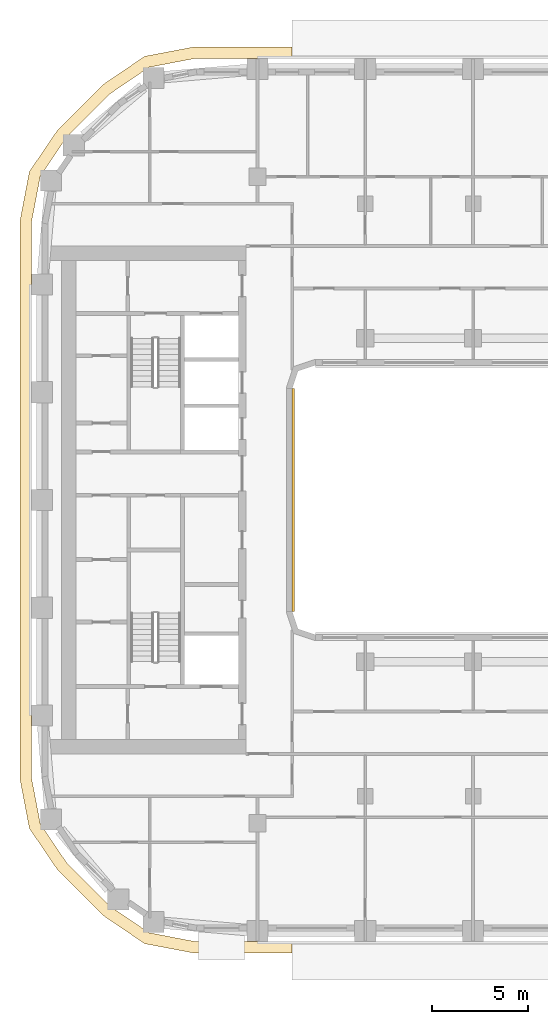
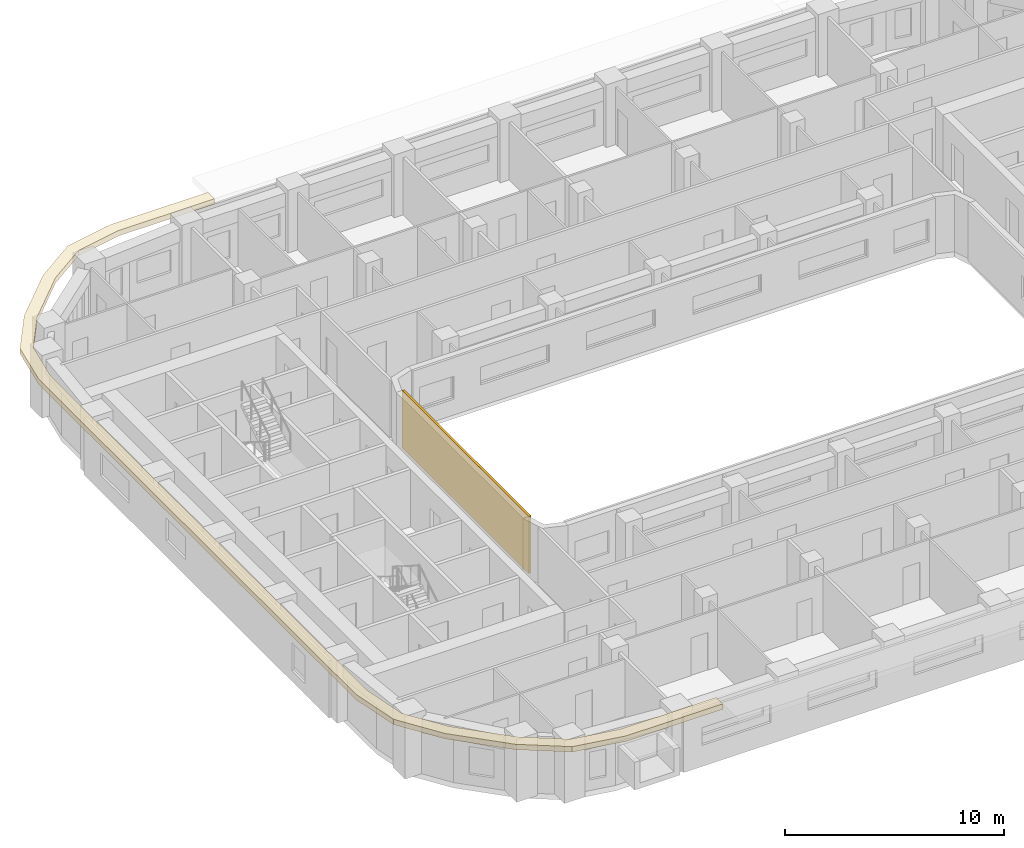
# One storey, part 14 of 22: 2 coverings.
"""IFC4 building model written with IfcOpenShell, lengths in metres."""

from ifc_helpers import new_model, si_unit, direction, frame, origin, place, context, subcontext, project, spatial, polyline, outline, extrude, material, layer, layer_set, type_object, element, save


model = new_model("IFC4")

# Units and contexts
model_context = context("Model", 3, precision=1e-05, world=origin(), true_north=direction((0.0, 1.0)))
body_context = subcontext(model_context, "Body", "Model", "MODEL_VIEW")
ifc_project = project(units=[si_unit("LENGTHUNIT", "METRE"), si_unit("AREAUNIT", "SQUARE_METRE"), si_unit("VOLUMEUNIT", "CUBIC_METRE"), si_unit("PLANEANGLEUNIT", "RADIAN"), si_unit("MASSUNIT", "GRAM", prefix="KILO")], contexts=[model_context])

# Site, building, storey
site_placement = place(None, origin())
site = spatial("IfcSite", under=ifc_project, at=site_placement, CompositionType="ELEMENT")
building_placement = place(site_placement, origin())
building = spatial("IfcBuilding", under=site, at=building_placement, Name="Kiln Ring Residences", CompositionType="ELEMENT")
storey_placement = place(building_placement, frame((0.0, 0.0, 146.60009765625)))
storey = spatial("IfcBuildingStorey", under=building, at=storey_placement, Name="L37", CompositionType="ELEMENT", Elevation=146.60009765625)

# Coverings
ifc_material_1 = material(Name="Brick masonry, dark clay brick", Category="masonry")
ifc_layer_1 = layer(ifc_material_1, 0.1201171875)
ifc_layer_set_1 = layer_set([ifc_layer_1], Name="RAINSCREEN PANEL 120")
covering_type_1 = type_object("IfcCoveringType", Name="RAINSCREEN PANEL 120", PredefinedType="CLADDING", material=ifc_layer_set_1)
covering_1_placement = place(storey_placement, frame((-14.93994140625, -5.800048828125, 0.0), z_axis=(0.0, 0.0, 1.0), x_axis=(0.0, 1.0, 0.0)))
element("IfcCovering", 1, at=covering_1_placement, inside=storey, type_object=covering_type_1, Name="RAINSCREEN L37", PredefinedType="CLADDING", context=body_context, shape_type="SweptSolid", body=[
    extrude(outline(polyline([(0.0, 0.0), (11.60009765625, 0.0), (11.60009765625, 3.199951171875), (0.0, 3.199951171875), (0.0, 0.0)])), frame((0.0, 0.06005859375, 0.0), z_axis=(0.0, -1.0, 0.0), x_axis=(1.0, 0.0, 0.0)), (0.0, 0.0, 1.0), 0.1201171875),
])
ifc_material_2 = material(Name="Black powder-coated steel", Category="steel")
ifc_layer_2 = layer(ifc_material_2, 0.300048828125)
ifc_layer_set_2 = layer_set([ifc_layer_2], Name="SUNSHADE FIN 600")
covering_type_2 = type_object("IfcCoveringType", Name="SUNSHADE FIN 600", PredefinedType="CLADDING", material=ifc_layer_set_2)
covering_2_placement = place(storey_placement, frame((0.0, 0.0, 3.199951171875)))
element("IfcCovering", 2, at=covering_2_placement, inside=storey, type_object=covering_type_2, Name="SUNSHADE FIN L37", PredefinedType="CLADDING", context=body_context, shape_type="SweptSolid", body=[
    extrude(outline(polyline([(-29.14990234375, -14.5087890625), (-28.66064453125, -17.07373046875), (-27.193115234375, -19.2333984375), (-24.83349609375, -21.593017578125), (-22.673583984375, -23.060791015625), (-20.108642578125, -23.550048828125), (-15.0, -23.550048828125), (-15.0, -22.949951171875), (-20.052001953125, -22.949951171875), (-22.439208984375, -22.49462890625), (-24.44921875, -21.128662109375), (-26.728515625, -18.84912109375), (-28.0947265625, -16.839111328125), (-28.550048828125, -14.451904296875), (-28.550048828125, 14.451904296875), (-28.0947265625, 16.839111328125), (-26.728515625, 18.84912109375), (-24.44921875, 21.128662109375), (-22.439208984375, 22.49462890625), (-20.052001953125, 22.949951171875), (-15.0, 22.949951171875), (-15.0, 23.550048828125), (-20.108642578125, 23.550048828125), (-22.673583984375, 23.060791015625), (-24.83349609375, 21.593017578125), (-27.193115234375, 19.2333984375), (-28.66064453125, 17.07373046875), (-29.14990234375, 14.5087890625), (-29.14990234375, -14.5087890625)])), origin(), (0.0, 0.0, 1.0), 0.300048828125),
])

save(model, "model.ifc")
